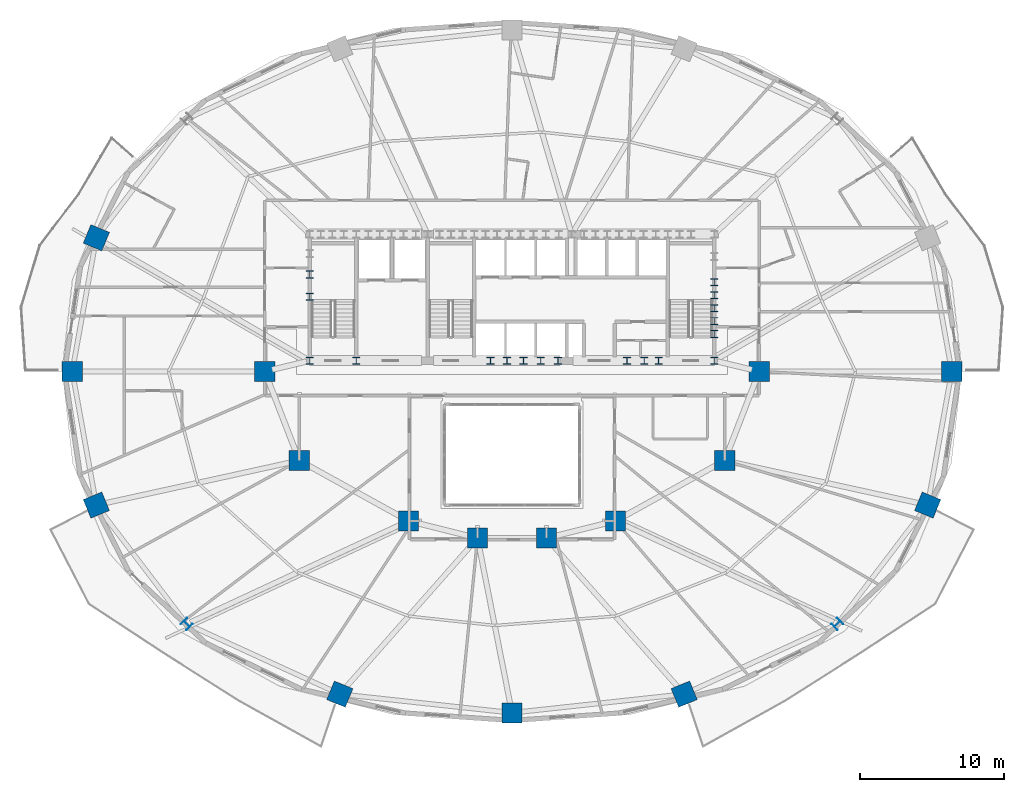
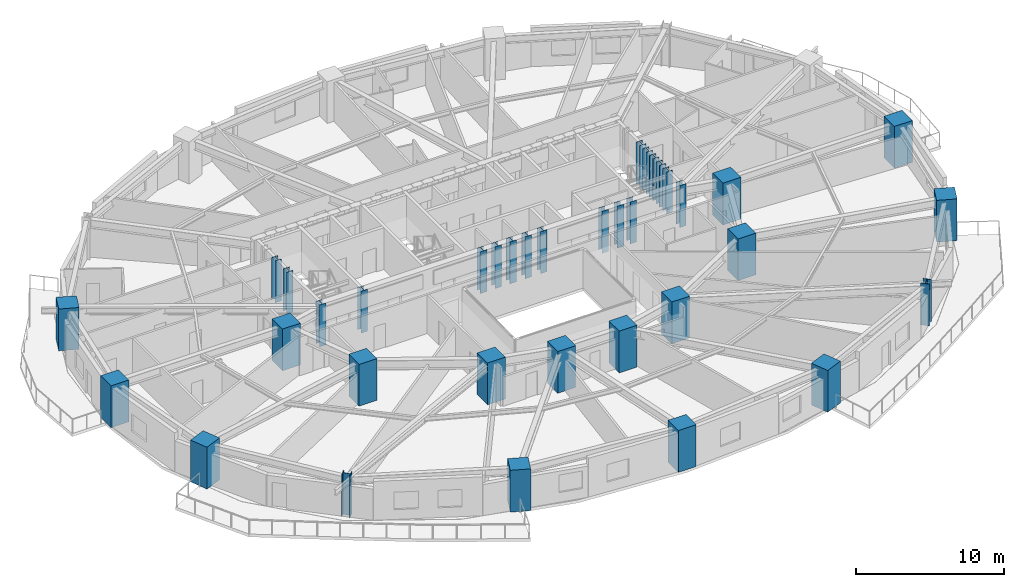
# One storey, part 1 of 18: 36 columns.
"""IFC4 building model written with IfcOpenShell, lengths in metres."""

from ifc_helpers import new_model, si_unit, direction, frame, origin, origin_2d, place, context, subcontext, project, spatial, rectangle, i_section, extrude, material, material_profile, profile_set, type_object, element, save


model = new_model("IFC4")

# Units and contexts
model_context = context("Model", 3, precision=1e-05, world=origin(), true_north=direction((0.0, 1.0)))
body_context = subcontext(model_context, "Body", "Model", "MODEL_VIEW")
ifc_project = project(units=[si_unit("LENGTHUNIT", "METRE"), si_unit("AREAUNIT", "SQUARE_METRE"), si_unit("VOLUMEUNIT", "CUBIC_METRE"), si_unit("PLANEANGLEUNIT", "RADIAN"), si_unit("MASSUNIT", "GRAM", prefix="KILO")], contexts=[model_context])

# Site, building, storey
site_placement = place(None, origin())
site = spatial("IfcSite", under=ifc_project, at=site_placement, CompositionType="ELEMENT")
building_placement = place(site_placement, origin())
building = spatial("IfcBuilding", under=site, at=building_placement, Name="Haldorwick Loom Tower", CompositionType="ELEMENT")
storey_placement = place(building_placement, frame((0.0, 0.0, 41.25)))
storey = spatial("IfcBuildingStorey", under=building, at=storey_placement, Name="L10", CompositionType="ELEMENT", Elevation=41.25)

# Columns
ifc_material_1 = material(Name="Concrete C60 (60 MPa)", Category="concrete")
ifc_material_profile_1 = material_profile(ifc_material_1, rectangle(XDim=1.39990234375, YDim=1.39990234375, at=origin_2d()), Name="RC1400X1400", Category="concrete")
ifc_profile_set_1 = profile_set([ifc_material_profile_1], Name="Concrete C60 (60 MPa)")
column_type_1 = type_object("IfcColumnType", Name="STR-COL-MEGA1400", PredefinedType="COLUMN", material=ifc_profile_set_1)
for number, where, z_axis, x_axis, name in (
    (1, (53.199951171875, 26.0, 0.0), (0.0, 0.0, 1.0), (1.0, 0.0, 0.0), "L10 Inner Column IC-01"),
    (2, (50.800048828125, 19.800048828125, 0.0), (0.0, 0.0, 1.0), (1.0, 0.0, 0.0), "L10 Inner Column IC-02"),
    (3, (43.199951171875, 15.60009765625, 0.0), (0.0, 0.0, 1.0), (1.0, 0.0, 0.0), "L10 Inner Column IC-03"),
    (4, (38.39990234375, 14.39990234375, 0.0), (0.0, 0.0, 1.0), (1.0, 0.0, 0.0), "L10 Inner Column IC-04"),
    (5, (33.60009765625, 14.39990234375, 0.0), (0.0, 0.0, 1.0), (1.0, 0.0, 0.0), "L10 Inner Column IC-05"),
    (6, (28.800048828125, 15.60009765625, 0.0), (0.0, 0.0, 1.0), (1.0, 0.0, 0.0), "L10 Inner Column IC-06"),
    (7, (21.199951171875, 19.800048828125, 0.0), (0.0, 0.0, 1.0), (1.0, 0.0, 0.0), "L10 Inner Column IC-07"),
    (8, (18.800048828125, 26.0, 0.0), (0.0, 0.0, 1.0), (1.0, 0.0, 0.0), "L10 Inner Column IC-08"),
):
    element("IfcColumn", number, at=place(storey_placement, frame(where, z_axis=z_axis, x_axis=x_axis)), inside=storey, type_object=column_type_1, Name=name, PredefinedType="COLUMN", context=body_context, shape_type="SweptSolid", body=[
        extrude(rectangle(XDim=1.39990234375, YDim=1.39990234375, at=origin_2d()), origin(), (0.0, 0.0, 1.0), 3.449951171875),
    ])
ifc_material_profile_2 = material_profile(ifc_material_1, rectangle(XDim=1.39990234375, YDim=1.39990234375, at=origin_2d()), Name="RC1400X1400", Category="concrete")
ifc_profile_set_2 = profile_set([ifc_material_profile_2], Name="Concrete C60 (60 MPa)")
column_type_2 = type_object("IfcColumnType", Name="STR-COL-RC1400", PredefinedType="PILASTER", material=ifc_profile_set_2)
for number, where, z_axis, x_axis, name in (
    (9, (66.595947265625, 26.0, 0.0), (0.0, 0.0, 1.0), (1.0, 0.0, 0.0), "L10 Perimeter Pier Column P01"),
    (10, (7.08251953125, 35.29931640625, 0.0), (0.0, 0.0, 1.0), (-0.923879532511, 0.382683432365, 0.0), "L10 Perimeter Pier Column P08"),
    (11, (5.404052734375, 26.0, 0.0), (0.0, 0.0, 1.0), (-1.0, 0.0, 0.0), "L10 Perimeter Pier Column P09"),
    (12, (7.08251953125, 16.70068359375, 0.0), (0.0, 0.0, 1.0), (-0.923879532511, -0.382683432365, 0.0), "L10 Perimeter Pier Column P10"),
    (13, (24.02197265625, 3.5498046875, 0.0), (0.0, 0.0, 1.0), (-0.382683432365, -0.923879532511, 0.0), "L10 Perimeter Pier Column P12"),
    (14, (36.0, 2.25, 0.0), (0.0, 0.0, 1.0), (0.0, -1.0, 0.0), "L10 Perimeter Pier Column P13"),
    (15, (47.97802734375, 3.5498046875, 0.0), (0.0, 0.0, 1.0), (0.382683432365, -0.923879532511, 0.0), "L10 Perimeter Pier Column P14"),
    (16, (64.91748046875, 16.70068359375, 0.0), (0.0, 0.0, 1.0), (0.923879532511, -0.382683432365, 0.0), "L10 Perimeter Pier Column P16"),
):
    element("IfcColumn", number, at=place(storey_placement, frame(where, z_axis=z_axis, x_axis=x_axis)), inside=storey, type_object=column_type_2, Name=name, PredefinedType="PILASTER", context=body_context, shape_type="SweptSolid", body=[
        extrude(rectangle(XDim=1.39990234375, YDim=1.39990234375, at=origin_2d()), origin(), (0.0, 0.0, 1.0), 3.449951171875),
    ])
ifc_material_2 = material(Name="Steel CSA G40.21 350WT", Category="steel")
ifc_material_profile_3 = material_profile(ifc_material_2, i_section(OverallWidth=0.5, OverallDepth=0.5, WebThickness=0.02197265625, FlangeThickness=0.031982421875, at=origin_2d()), Name="WWF500X500", Category="steel")
ifc_profile_set_3 = profile_set([ifc_material_profile_3], Name="Steel CSA G40.21 350WT")
column_type_3 = type_object("IfcColumnType", Name="STR-COL-WWF500", PredefinedType="COLUMN", material=ifc_profile_set_3)
for number, where, z_axis, x_axis, name in (
    (17, (21.929931640625, 26.75, 0.0), (0.0, 0.0, 1.0), (1.0, 0.0, 0.0), "L10 Core Pilaster CB-19"),
    (18, (25.169921875, 26.75, 0.0), (0.0, 0.0, 1.0), (1.0, 0.0, 0.0), "L10 Core Pilaster CB-20"),
    (19, (34.5, 26.75, 0.0), (0.0, 0.0, 1.0), (1.0, 0.0, 0.0), "L10 Core Pilaster CB-21"),
    (20, (36.800048828125, 26.75, 0.0), (0.0, 0.0, 1.0), (1.0, 0.0, 0.0), "L10 Core Pilaster CB-22"),
    (21, (39.199951171875, 26.75, 0.0), (0.0, 0.0, 1.0), (1.0, 0.0, 0.0), "L10 Core Pilaster CB-23"),
    (22, (45.199951171875, 26.75, 0.0), (0.0, 0.0, 1.0), (1.0, 0.0, 0.0), "L10 Core Pilaster CB-24"),
    (23, (50.070068359375, 26.75, 0.0), (0.0, 0.0, 1.0), (1.0, 0.0, 0.0), "L10 Core Pilaster CB-25"),
    (24, (21.929931640625, 31.199951171875, 0.0), (0.0, 0.0, 1.0), (1.0, 0.0, 0.0), "L10 Core Pilaster CB-26"),
    (25, (21.929931640625, 32.75, 0.0), (0.0, 0.0, 1.0), (1.0, 0.0, 0.0), "L10 Core Pilaster CB-27"),
    (26, (50.070068359375, 28.60009765625, 0.0), (0.0, 0.0, 1.0), (1.0, 0.0, 0.0), "L10 Core Pilaster CB-29"),
    (27, (50.070068359375, 30.39990234375, 0.0), (0.0, 0.0, 1.0), (1.0, 0.0, 0.0), "L10 Core Pilaster CB-30"),
    (28, (50.070068359375, 32.199951171875, 0.0), (0.0, 0.0, 1.0), (1.0, 0.0, 0.0), "L10 Core Pilaster CB-31"),
    (29, (50.070068359375, 29.5, 0.0), (0.0, 0.0, 1.0), (1.0, 0.0, 0.0), "L10 Core Pilaster CB-49"),
    (30, (50.070068359375, 31.300048828125, 0.0), (0.0, 0.0, 1.0), (1.0, 0.0, 0.0), "L10 Core Pilaster CB-50"),
    (31, (35.64990234375, 26.75, 0.0), (0.0, 0.0, 1.0), (1.0, 0.0, 0.0), "L10 Core Pilaster CB-51"),
    (32, (38.0, 26.75, 0.0), (0.0, 0.0, 1.0), (1.0, 0.0, 0.0), "L10 Core Pilaster CB-52"),
    (33, (44.0, 26.75, 0.0), (0.0, 0.0, 1.0), (1.0, 0.0, 0.0), "L10 Core Pilaster CB-53"),
    (34, (46.199951171875, 26.75, 0.0), (0.0, 0.0, 1.0), (1.0, 0.0, 0.0), "L10 Core Pilaster CB-54"),
):
    element("IfcColumn", number, at=place(storey_placement, frame(where, z_axis=z_axis, x_axis=x_axis)), inside=storey, type_object=column_type_3, Name=name, PredefinedType="COLUMN", context=body_context, shape_type="SweptSolid", body=[
        extrude(i_section(OverallWidth=0.5, OverallDepth=0.5, WebThickness=0.02197265625, FlangeThickness=0.031982421875, at=origin_2d()), origin(), (0.0, 0.0, 1.0), 3.449951171875),
    ])
ifc_material_profile_4 = material_profile(ifc_material_2, i_section(OverallWidth=0.60009765625, OverallDepth=0.60009765625, WebThickness=0.02490234375, FlangeThickness=0.035888671875, at=origin_2d()), Name="WWF600X600", Category="steel")
ifc_profile_set_4 = profile_set([ifc_material_profile_4], Name="Steel CSA G40.21 350WT")
column_type_4 = type_object("IfcColumnType", Name="STR-COL-WWF600", PredefinedType="COLUMN", material=ifc_profile_set_4)
for number, where, z_axis, x_axis, name in (
    (35, (13.369873046875, 8.428466796875, 0.0), (0.0, 0.0, 1.0), (-0.707106781187, -0.707106781187, 0.0), "L10 Perimeter Pier Column P11"),
    (36, (58.630126953125, 8.428466796875, 0.0), (0.0, 0.0, 1.0), (0.707106781187, -0.707106781187, 0.0), "L10 Perimeter Pier Column P15"),
):
    element("IfcColumn", number, at=place(storey_placement, frame(where, z_axis=z_axis, x_axis=x_axis)), inside=storey, type_object=column_type_4, Name=name, PredefinedType="COLUMN", context=body_context, shape_type="SweptSolid", body=[
        extrude(i_section(OverallWidth=0.60009765625, OverallDepth=0.60009765625, WebThickness=0.02490234375, FlangeThickness=0.035888671875, at=origin_2d()), origin(), (0.0, 0.0, 1.0), 3.449951171875),
    ])

save(model, "model.ifc")
